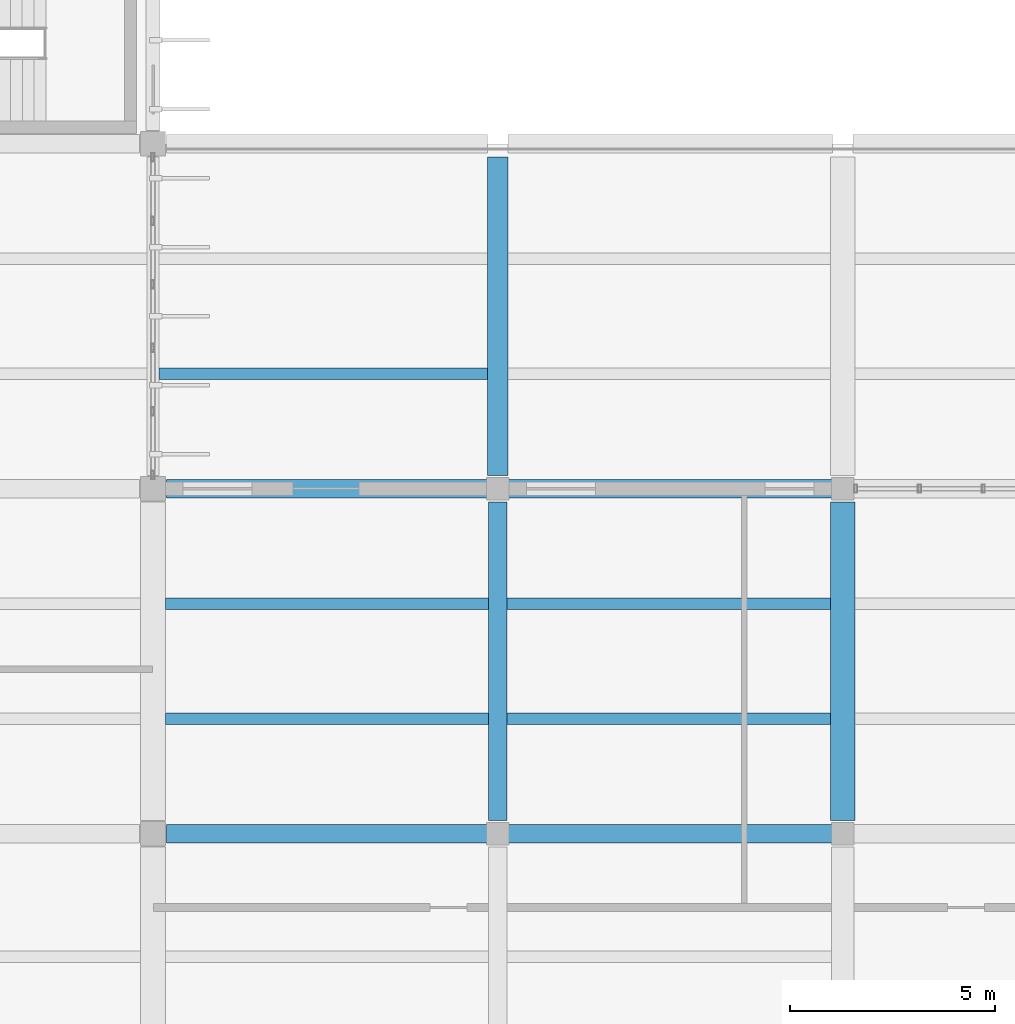
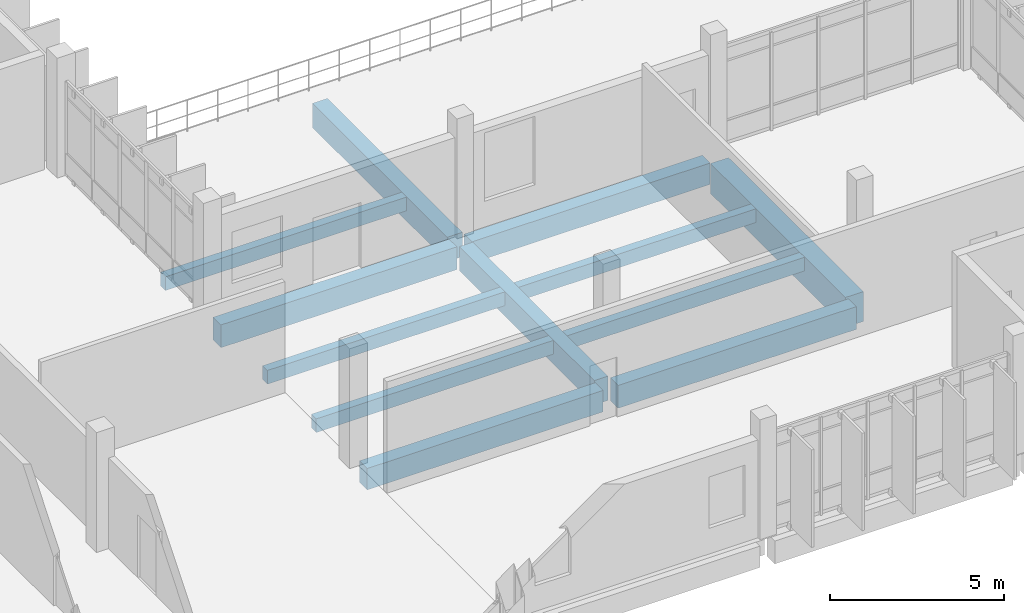
# One storey, part 34 of 130: 12 beams.
"""IFC4 building model written with IfcOpenShell, lengths in metres."""

from ifc_helpers import new_model, si_unit, direction, frame, origin, origin_2d, place, context, subcontext, project, spatial, rectangle, extrude, material, material_profile, profile_set, type_object, element, save


model = new_model("IFC4")

# Units and contexts
model_context = context("Model", 3, precision=1e-05, world=origin(), true_north=direction((0.0, 1.0)))
body_context = subcontext(model_context, "Body", "Model", "MODEL_VIEW")
ifc_project = project(units=[si_unit("LENGTHUNIT", "METRE"), si_unit("AREAUNIT", "SQUARE_METRE"), si_unit("VOLUMEUNIT", "CUBIC_METRE"), si_unit("PLANEANGLEUNIT", "RADIAN"), si_unit("MASSUNIT", "GRAM", prefix="KILO")], contexts=[model_context])

# Site, building, storey
site_placement = place(None, origin())
site = spatial("IfcSite", under=ifc_project, at=site_placement, CompositionType="ELEMENT")
building_placement = place(site_placement, origin())
building = spatial("IfcBuilding", under=site, at=building_placement, Name="Vireocrest Preparatory School", CompositionType="ELEMENT")
storey_placement = place(building_placement, frame((0.0, 0.0, 9.0)))
storey = spatial("IfcBuildingStorey", under=building, at=storey_placement, Name="L02", CompositionType="ELEMENT", Elevation=9.0)

# Beams
ifc_material = material(Name="Concrete 40 MPa", Category="concrete")
ifc_material_profile_1 = material_profile(ifc_material, rectangle(XDim=0.449951171875, YDim=0.85009765625, at=origin_2d()), Name="RC 450x850")
ifc_profile_set_1 = profile_set([ifc_material_profile_1], Name="Concrete 40 MPa")
beam_type_1 = type_object("IfcBeamType", Name="RC Heavy Floor Girder 450x850", PredefinedType="BEAM", material=ifc_profile_set_1)
beam_1_placement = place(storey_placement, frame((117.60009765625, 27.324951171875, -0.68505859375), z_axis=(0.0, 1.0, 0.0), x_axis=(-1.0, 0.0, 0.0)))
element("IfcBeam", 1, at=beam_1_placement, inside=storey, type_object=beam_type_1, Name="Primary Girder B13 L02-0870", PredefinedType="BEAM", context=body_context, shape_type="SweptSolid", body=[
    extrude(rectangle(XDim=0.449951171875, YDim=0.85009765625, at=origin_2d()), origin(), (0.0, 0.0, 1.0), 7.75),
])
ifc_material_profile_2 = material_profile(ifc_material, rectangle(XDim=0.449951171875, YDim=0.75, at=origin_2d()), Name="RC 450x750")
ifc_profile_set_2 = profile_set([ifc_material_profile_2], Name="Concrete 40 MPa")
beam_type_2 = type_object("IfcBeamType", Name="RC Library Stack Girder 450x750", PredefinedType="BEAM", material=ifc_profile_set_2)
beam_2_placement = place(storey_placement, frame((109.52490234375, 27.0, -0.635009765625), z_axis=(1.0, 0.0, 0.0), x_axis=(0.0, 1.0, 0.0)))
element("IfcBeam", 2, at=beam_2_placement, inside=storey, type_object=beam_type_2, Name="Primary Girder B11 L02-0699", PredefinedType="BEAM", context=body_context, shape_type="SweptSolid", body=[
    extrude(rectangle(XDim=0.449951171875, YDim=0.75, at=origin_2d()), origin(), (0.0, 0.0, 1.0), 7.8251953125),
])
beam_3_placement = place(storey_placement, frame((117.85009765625, 35.39990234375, -0.695068359375), z_axis=(1.0, 0.0, 0.0), x_axis=(0.0, 1.0, 0.0)))
element("IfcBeam", 3, at=beam_3_placement, inside=storey, type_object=beam_type_2, Name="Primary Girder B11 L02-0711", PredefinedType="BEAM", context=body_context, shape_type="SweptSolid", body=[
    extrude(rectangle(XDim=0.449951171875, YDim=0.75, at=origin_2d()), origin(), (0.0, 0.0, 1.0), 7.89990234375),
])
ifc_material_profile_3 = material_profile(ifc_material, rectangle(XDim=0.449951171875, YDim=0.800048828125, at=origin_2d()), Name="RC 450x800")
ifc_profile_set_3 = profile_set([ifc_material_profile_3], Name="Concrete 40 MPa")
beam_type_3 = type_object("IfcBeamType", Name="RC Library Stack Girder 450x800", PredefinedType="BEAM", material=ifc_profile_set_3)
beam_4_placement = place(storey_placement, frame((117.85009765625, 27.0, -0.659912109375), z_axis=(1.0, 0.0, 0.0), x_axis=(0.0, 1.0, 0.0)))
element("IfcBeam", 4, at=beam_4_placement, inside=storey, type_object=beam_type_3, Name="Primary Girder B12 L02-0700", PredefinedType="BEAM", context=body_context, shape_type="SweptSolid", body=[
    extrude(rectangle(XDim=0.449951171875, YDim=0.800048828125, at=origin_2d()), origin(), (0.0, 0.0, 1.0), 7.89990234375),
])
beam_5_placement = place(storey_placement, frame((109.52490234375, 35.39990234375, -0.719970703125), z_axis=(1.0, 0.0, 0.0), x_axis=(0.0, 1.0, 0.0)))
element("IfcBeam", 5, at=beam_5_placement, inside=storey, type_object=beam_type_3, Name="Primary Girder B12 L02-0710", PredefinedType="BEAM", context=body_context, shape_type="SweptSolid", body=[
    extrude(rectangle(XDim=0.449951171875, YDim=0.800048828125, at=origin_2d()), origin(), (0.0, 0.0, 1.0), 7.8251953125),
])
ifc_material_profile_4 = material_profile(ifc_material, rectangle(XDim=0.5, YDim=0.85009765625, at=origin_2d()), Name="RC 500x850")
ifc_profile_set_4 = profile_set([ifc_material_profile_4], Name="Concrete 40 MPa")
beam_type_4 = type_object("IfcBeamType", Name="RC Podium Girder 500x850", PredefinedType="BEAM", material=ifc_profile_set_4)
beam_6_placement = place(storey_placement, frame((117.60009765625, 35.72509765625, -0.7451171875), z_axis=(0.0, 1.0, 0.0), x_axis=(-1.0, 0.0, 0.0)))
element("IfcBeam", 6, at=beam_6_placement, inside=storey, type_object=beam_type_4, Name="Primary Girder B14 L02-0871", PredefinedType="BEAM", context=body_context, shape_type="SweptSolid", body=[
    extrude(rectangle(XDim=0.5, YDim=0.85009765625, at=origin_2d()), origin(), (0.0, 0.0, 1.0), 7.75),
])
ifc_material_profile_5 = material_profile(ifc_material, rectangle(XDim=0.280029296875, YDim=0.47998046875, at=origin_2d()), Name="RC 280x480")
ifc_profile_set_5 = profile_set([ifc_material_profile_5], Name="Concrete 40 MPa")
beam_type_5 = type_object("IfcBeamType", Name="RC Secondary Lab Joist 280x480", PredefinedType="JOIST", material=ifc_profile_set_5)
for number, where, z_axis, x_axis, name in (
    (7, (109.5, 29.800048828125, -0.5), (1.0, 0.0, 0.0), (0.0, 1.0, 0.0), "Secondary Joist J02 L02-1006"),
    (8, (109.5, 32.60009765625, -0.5), (1.0, 0.0, 0.0), (0.0, 1.0, 0.0), "Secondary Joist J02 L02-1007"),
):
    element("IfcBeam", number, at=place(storey_placement, frame(where, z_axis=z_axis, x_axis=x_axis)), inside=storey, type_object=beam_type_5, Name=name, PredefinedType="JOIST", context=body_context, shape_type="SweptSolid", body=[
        extrude(rectangle(XDim=0.280029296875, YDim=0.47998046875, at=origin_2d()), origin(), (0.0, 0.0, 1.0), 7.875),
    ])
beam_7_placement = place(storey_placement, frame((109.35009765625, 38.199951171875, -0.56005859375), z_axis=(1.0, 0.0, 0.0), x_axis=(0.0, 1.0, 0.0)))
element("IfcBeam", 9, at=beam_7_placement, inside=storey, type_object=beam_type_5, Name="Secondary Joist J02 L02-1008", PredefinedType="JOIST", context=body_context, shape_type="SweptSolid", body=[
    extrude(rectangle(XDim=0.280029296875, YDim=0.47998046875, at=origin_2d()), origin(), (0.0, 0.0, 1.0), 8.0),
])
for number, where, z_axis, x_axis, name in (
    (10, (117.824951171875, 29.800048828125, -0.5), (1.0, 0.0, 0.0), (0.0, 1.0, 0.0), "Secondary Joist J02 L02-1018"),
    (11, (117.824951171875, 32.60009765625, -0.5), (1.0, 0.0, 0.0), (0.0, 1.0, 0.0), "Secondary Joist J02 L02-1019"),
):
    element("IfcBeam", number, at=place(storey_placement, frame(where, z_axis=z_axis, x_axis=x_axis)), inside=storey, type_object=beam_type_5, Name=name, PredefinedType="JOIST", context=body_context, shape_type="SweptSolid", body=[
        extrude(rectangle(XDim=0.280029296875, YDim=0.47998046875, at=origin_2d()), origin(), (0.0, 0.0, 1.0), 7.875),
    ])
ifc_material_profile_6 = material_profile(ifc_material, rectangle(XDim=0.60009765625, YDim=1.050048828125, at=origin_2d()), Name="RC 600x1050")
ifc_profile_set_6 = profile_set([ifc_material_profile_6], Name="Concrete 40 MPa")
beam_type_6 = type_object("IfcBeamType", Name="RC Transfer Girder 600x1050", PredefinedType="BEAM", material=ifc_profile_set_6)
beam_8_placement = place(storey_placement, frame((126.0, 27.324951171875, -0.784912109375), z_axis=(0.0, 1.0, 0.0), x_axis=(-1.0, 0.0, 0.0)))
element("IfcBeam", 12, at=beam_8_placement, inside=storey, type_object=beam_type_6, Name="Primary Girder B19 L02-0876", PredefinedType="BEAM", context=body_context, shape_type="SweptSolid", body=[
    extrude(rectangle(XDim=0.60009765625, YDim=1.050048828125, at=origin_2d()), origin(), (0.0, 0.0, 1.0), 7.75),
])

save(model, "model.ifc")
